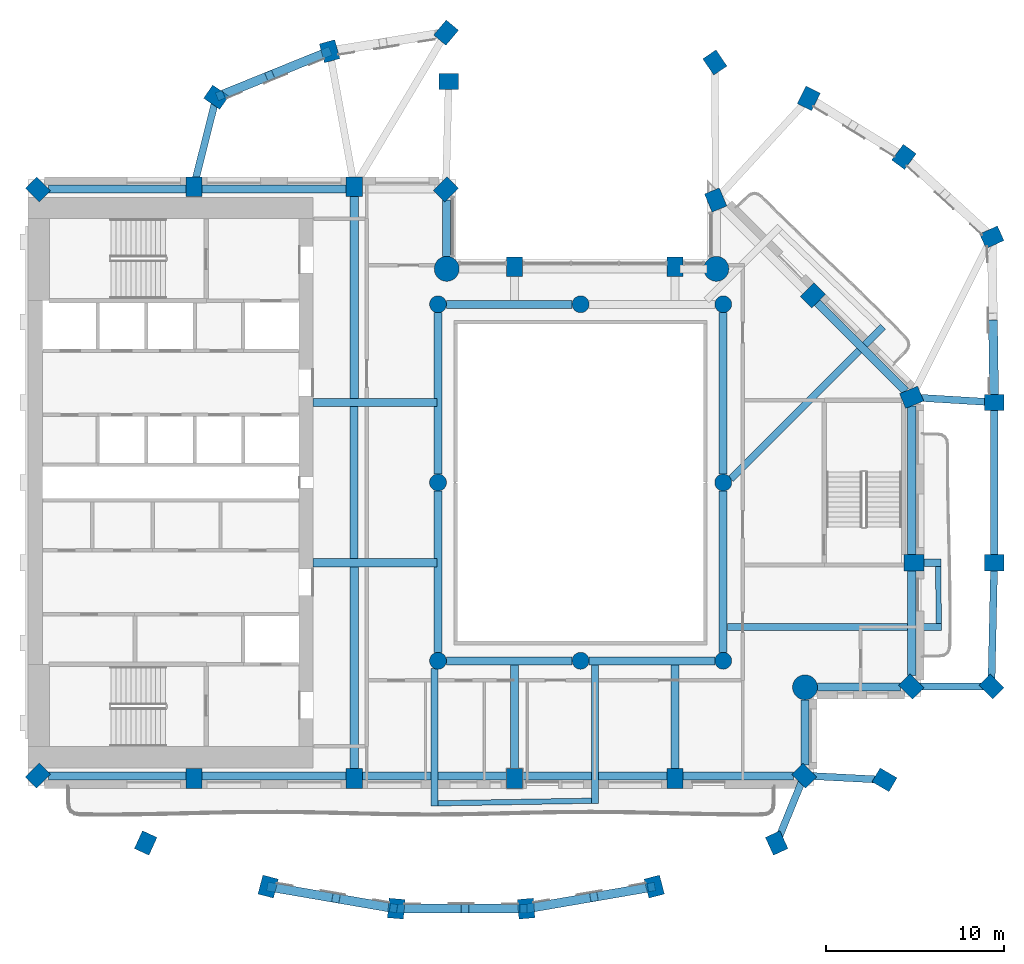
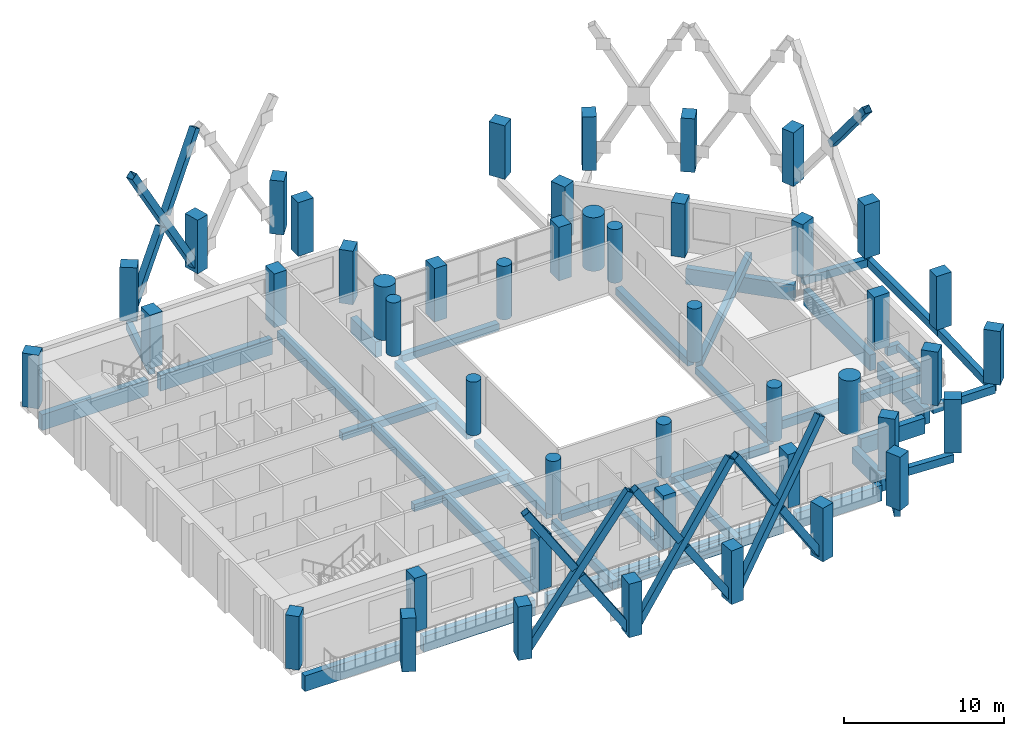
# One storey, part 1 of 15: 46 columns, 41 beams, 13 members.
"""IFC4 building model written with IfcOpenShell, lengths in metres."""

from ifc_helpers import new_model, si_unit, direction, frame, origin, origin_2d, place, context, subcontext, project, spatial, rectangle, hollow_rectangle, circle, extrude, material, material_profile, profile_set, type_object, element, save


model = new_model("IFC4")

# Units and contexts
model_context = context("Model", 3, precision=1e-05, world=origin(), true_north=direction((0.0, 1.0)))
body_context = subcontext(model_context, "Body", "Model", "MODEL_VIEW")
ifc_project = project(units=[si_unit("LENGTHUNIT", "METRE"), si_unit("AREAUNIT", "SQUARE_METRE"), si_unit("VOLUMEUNIT", "CUBIC_METRE"), si_unit("PLANEANGLEUNIT", "RADIAN"), si_unit("MASSUNIT", "GRAM", prefix="KILO")], contexts=[model_context])

# Site, building, storey
site_placement = place(None, origin())
site = spatial("IfcSite", under=ifc_project, at=site_placement, CompositionType="ELEMENT")
building_placement = place(site_placement, origin())
building = spatial("IfcBuilding", under=site, at=building_placement, Name="Cypress Arch Tower", CompositionType="ELEMENT")
storey_placement = place(building_placement, frame((0.0, 0.0, 193.300048828125)))
storey = spatial("IfcBuildingStorey", under=building, at=storey_placement, Name="L42", CompositionType="ELEMENT", Elevation=193.300048828125)

# Columns
ifc_material_1 = material(Name="Concrete C70/85", Category="concrete")
ifc_material_profile_1 = material_profile(ifc_material_1, rectangle(XDim=0.89990234375, YDim=1.10009765625, at=origin_2d()), Name="RC 900x1100")
ifc_profile_set_1 = profile_set([ifc_material_profile_1], Name="Concrete C70/85")
column_type_1 = type_object("IfcColumnType", Name="Column RC 900x1100 Concrete C70/85", PredefinedType="COLUMN", material=ifc_profile_set_1)
for number, where, z_axis, x_axis, name in (
    (1, (-29.44287109375, 16.44287109375, 0.0), (0.0, 0.0, 1.0), (-0.707106781187, -0.707106781187, 0.0), "Column L42 CB00"),
    (2, (-29.44287109375, -16.44287109375, 0.0), (0.0, 0.0, 1.0), (0.707106781187, -0.707106781187, 0.0), "Column L42 CB01"),
    (3, (-20.699951171875, -16.60009765625, 0.0), (0.0, 0.0, 1.0), (1.0, 0.0, 0.0), "Column L42 CB02"),
    (4, (-11.699951171875, -16.60009765625, 0.0), (0.0, 0.0, 1.0), (1.0, 0.0, 0.0), "Column L42 CB03"),
    (5, (-2.699951171875, -16.60009765625, 0.0), (0.0, 0.0, 1.0), (1.0, 0.0, 0.0), "Column L42 CB04"),
    (6, (6.300048828125, -16.60009765625, 0.0), (0.0, 0.0, 1.0), (1.0, 0.0, 0.0), "Column L42 CB05"),
    (7, (13.54296875, -16.44287109375, 0.0), (0.0, 0.0, 1.0), (0.707106781187, 0.707106781187, 0.0), "Column L42 CB06"),
    (8, (19.54296875, -11.44287109375, 0.0), (0.0, 0.0, 1.0), (0.707106781187, 0.707106781187, 0.0), "Column L42 CB08"),
    (9, (19.699951171875, -4.5, 0.0), (0.0, 0.0, 1.0), (0.0, 1.0, 0.0), "Column L42 CB09"),
    (10, (19.569580078125, 4.7802734375, 0.0), (0.0, 0.0, 1.0), (-0.382683496864, 0.923879505795, 0.0), "Column L42 CB10"),
    (11, (14.029296875, 10.505126953125, 0.0), (0.0, 0.0, 1.0), (-0.707106781187, 0.707106781187, 0.0), "Column L42 CB11"),
    (12, (8.576171875, 15.850341796875, 0.0), (0.0, 0.0, 1.0), (-0.923879672772, -0.382683093746, 0.0), "Column L42 CB12"),
    (13, (6.300048828125, 12.10009765625, 0.0), (0.0, 0.0, 1.0), (-1.0, 0.0, 0.0), "Column L42 CB14"),
    (14, (-2.699951171875, 12.10009765625, 0.0), (0.0, 0.0, 1.0), (-1.0, 0.0, 0.0), "Column L42 CB15"),
    (15, (-6.55712890625, 16.44287109375, 0.0), (0.0, 0.0, 1.0), (-0.707106781187, 0.707106781187, 0.0), "Column L42 CB17"),
    (16, (-11.699951171875, 16.60009765625, 0.0), (0.0, 0.0, 1.0), (-1.0, 0.0, 0.0), "Column L42 CB18"),
    (17, (-20.699951171875, 16.60009765625, 0.0), (0.0, 0.0, 1.0), (-1.0, 0.0, 0.0), "Column L42 CB19"),
    (18, (8.53076171875, 23.564697265625, 0.0), (0.0, 0.0, 1.0), (-0.828469606019, -0.560034027451, 0.0), "Column L42 CQ00"),
    (19, (-6.39990234375, 22.5, 0.0), (0.0, 0.0, 1.0), (0.0, 1.0, 0.0), "Column L42 CQ01"),
    (20, (-6.54833984375, 25.236572265625, 0.0), (0.0, 0.0, 1.0), (-0.766063514674, 0.642764880407, 0.0), "Column L42 CQ02"),
    (21, (-13.081298828125, 24.193359375, 0.0), (0.0, 0.0, 1.0), (-0.96345574646, -0.267867550506, 0.0), "Column L42 CQ03"),
    (22, (-19.44189453125, 21.616943359375, 0.0), (0.0, 0.0, 1.0), (-0.565892599589, -0.824478966215, 0.0), "Column L42 CQ04"),
    (23, (-23.398193359375, -20.221435546875, 0.0), (0.0, 0.0, 1.0), (0.909932071487, -0.414757308891, 0.0), "Column L42 CQ05"),
    (24, (-16.529052734375, -22.666259765625, 0.0), (0.0, 0.0, 1.0), (0.96735573689, -0.2534223319, 0.0), "Column L42 CQ06"),
    (25, (-9.3427734375, -23.903564453125, 0.0), (0.0, 0.0, 1.0), (0.996368206733, -0.085149260784, 0.0), "Column L42 CQ07"),
    (26, (-2.057373046875, -23.903564453125, 0.0), (0.0, 0.0, 1.0), (0.996368206733, 0.085149260784, 0.0), "Column L42 CQ08"),
    (27, (5.12890625, -22.666259765625, 0.0), (0.0, 0.0, 1.0), (0.96735573689, 0.2534223319, 0.0), "Column L42 CQ09"),
    (28, (11.998291015625, -20.221435546875, 0.0), (0.0, 0.0, 1.0), (0.909932071487, 0.414757308891, 0.0), "Column L42 CQ10"),
    (29, (18.048095703125, -16.677490234375, 0.0), (0.0, 0.0, 1.0), (0.504399289829, 0.86347053014, 0.0), "Column L42 CQ11"),
    (30, (24.04296875, -11.44287109375, 0.0), (0.0, 0.0, 1.0), (0.707106781187, 0.707106781187, 0.0), "Column L42 CQ12"),
    (31, (24.199951171875, -4.5, 0.0), (0.0, 0.0, 1.0), (0.0, 1.0, 0.0), "Column L42 CQ13"),
    (32, (24.199951171875, 4.5, 0.0), (0.0, 0.0, 1.0), (0.0, 1.0, 0.0), "Column L42 CQ14"),
    (33, (24.06396484375, 13.75927734375, 0.0), (0.0, 0.0, 1.0), (-0.409765058504, 0.912191096662, 0.0), "Column L42 CQ15"),
    (34, (19.13818359375, 18.267578125, 0.0), (0.0, 0.0, 1.0), (-0.802798546114, 0.596250362144, 0.0), "Column L42 CQ16"),
    (35, (13.80322265625, 21.549072265625, 0.0), (0.0, 0.0, 1.0), (-0.893106499805, 0.44984528452, 0.0), "Column L42 CQ17"),
):
    element("IfcColumn", number, at=place(storey_placement, frame(where, z_axis=z_axis, x_axis=x_axis)), inside=storey, type_object=column_type_1, Name=name, PredefinedType="COLUMN", context=body_context, shape_type="SweptSolid", body=[
        extrude(rectangle(XDim=0.89990234375, YDim=1.10009765625, at=origin_2d()), origin(), (0.0, 0.0, 1.0), 4.099853515625),
    ])
ifc_material_2 = material(Name="Concrete C70/85", Category="concrete")
ifc_material_profile_2 = material_profile(ifc_material_2, circle(Radius=0.47509765625, at=origin_2d()), Name="RC D950")
ifc_profile_set_2 = profile_set([ifc_material_profile_2], Name="Concrete C70/85")
column_type_2 = type_object("IfcColumnType", Name="Column RC D950 Concrete C70/85", PredefinedType="COLUMN", material=ifc_profile_set_2)
for number, where, z_axis, x_axis, name in (
    (36, (-7.0, -10.0, 0.0), (0.0, 0.0, 1.0), (1.0, 0.0, 0.0), "Column L42 RNG-L42-G-7-10"),
    (37, (-7.0, 0.0, 0.0), (0.0, 0.0, 1.0), (1.0, 0.0, 0.0), "Column L42 RNG-L42-G-7+0"),
    (38, (-7.0, 10.0, 0.0), (0.0, 0.0, 1.0), (1.0, 0.0, 0.0), "Column L42 RNG-L42-G-7+10"),
    (39, (1.0, -10.0, 0.0), (0.0, 0.0, 1.0), (1.0, 0.0, 0.0), "Column L42 RNG-L42-G+1-10"),
    (40, (1.0, 10.0, 0.0), (0.0, 0.0, 1.0), (1.0, 0.0, 0.0), "Column L42 RNG-L42-G+1+10"),
    (41, (9.0, -10.0, 0.0), (0.0, 0.0, 1.0), (1.0, 0.0, 0.0), "Column L42 RNG-L42-G+9-10"),
    (42, (9.0, 0.0, 0.0), (0.0, 0.0, 1.0), (1.0, 0.0, 0.0), "Column L42 RNG-L42-G+9+0"),
    (43, (9.0, 10.0, 0.0), (0.0, 0.0, 1.0), (1.0, 0.0, 0.0), "Column L42 RNG-L42-G+9+10"),
):
    element("IfcColumn", number, at=place(storey_placement, frame(where, z_axis=z_axis, x_axis=x_axis)), inside=storey, type_object=column_type_2, Name=name, PredefinedType="COLUMN", context=body_context, shape_type="SweptSolid", body=[
        extrude(circle(Radius=0.47509765625, at=origin_2d()), origin(), (0.0, 0.0, 1.0), 4.099853515625),
    ])
ifc_material_3 = material(Name="Concrete C70/85", Category="concrete")
ifc_material_profile_3 = material_profile(ifc_material_3, circle(Radius=0.699951171875, at=origin_2d()), Name="RC D1400")
ifc_profile_set_3 = profile_set([ifc_material_profile_3], Name="Concrete C70/85")
column_type_3 = type_object("IfcColumnType", Name="Mega-column RC D1400 Concrete C70/85", PredefinedType="COLUMN", material=ifc_profile_set_3)
for number, where, z_axis, x_axis, name in (
    (44, (13.587890625, -11.48779296875, 0.0), (0.0, 0.0, 1.0), (1.0, 0.0, 0.0), "Column L42 CB07"),
    (45, (8.612060546875, 11.98779296875, 0.0), (0.0, 0.0, 1.0), (1.0, 0.0, 0.0), "Column L42 CB13"),
    (46, (-6.51220703125, 11.98779296875, 0.0), (0.0, 0.0, 1.0), (1.0, 0.0, 0.0), "Column L42 CB16"),
):
    element("IfcColumn", number, at=place(storey_placement, frame(where, z_axis=z_axis, x_axis=x_axis)), inside=storey, type_object=column_type_3, Name=name, PredefinedType="COLUMN", context=body_context, shape_type="SweptSolid", body=[
        extrude(circle(Radius=0.699951171875, at=origin_2d()), origin(), (0.0, 0.0, 1.0), 4.099853515625),
    ])

# Beams
ifc_material_4 = material(Name="Concrete C50/60", Category="concrete")
ifc_material_profile_4 = material_profile(ifc_material_4, rectangle(XDim=0.300048828125, YDim=0.39990234375, at=origin_2d()), Name="RC 300x400")
ifc_profile_set_4 = profile_set([ifc_material_profile_4], Name="Concrete C50/60")
beam_type_1 = type_object("IfcBeamType", Name="Balcony edge beam RC 300x400 Concrete C50/60", PredefinedType="BEAM", material=ifc_profile_set_4)
beam_1_placement = place(storey_placement, frame((21.091796875, -7.89990234375, -0.5), z_axis=(-0.010680706062, 0.999942959632, 0.0), x_axis=(-0.999942959632, -0.010680706062, 0.0)))
element("IfcBeam", 47, at=beam_1_placement, inside=storey, type_object=beam_type_1, Name="Balcony edge beam L42 B04", PredefinedType="BEAM", context=body_context, shape_type="SweptSolid", body=[
    extrude(rectangle(XDim=0.300048828125, YDim=0.39990234375, at=origin_2d()), origin(), (0.0, 0.0, 1.0), 3.2001953125),
])
ifc_material_5 = material(Name="Concrete C50/60", Category="concrete")
ifc_material_profile_5 = material_profile(ifc_material_5, rectangle(XDim=0.300048828125, YDim=0.449951171875, at=origin_2d()), Name="RC 300x450")
ifc_profile_set_5 = profile_set([ifc_material_profile_5], Name="Concrete C50/60")
beam_type_2 = type_object("IfcBeamType", Name="Balcony edge beam RC 300x450 Concrete C50/60", PredefinedType="BEAM", material=ifc_profile_set_5)
beam_2_placement = place(storey_placement, frame((-7.0, -17.994140625, -0.525146484375), z_axis=(0.999862602281, 0.016576385617, 0.0), x_axis=(-0.016576385617, 0.999862602281, 0.0)))
element("IfcBeam", 48, at=beam_2_placement, inside=storey, type_object=beam_type_2, Name="Balcony edge beam L42 B01", PredefinedType="BEAM", context=body_context, shape_type="SweptSolid", body=[
    extrude(rectangle(XDim=0.300048828125, YDim=0.449951171875, at=origin_2d()), origin(), (0.0, 0.0, 1.0), 8.601318359375),
])
ifc_material_6 = material(Name="Concrete C50/60", Category="concrete")
ifc_material_profile_6 = material_profile(ifc_material_6, rectangle(XDim=0.39990234375, YDim=0.64990234375, at=origin_2d()), Name="RC 400x650")
ifc_profile_set_6 = profile_set([ifc_material_profile_6], Name="Concrete C50/60")
beam_type_3 = type_object("IfcBeamType", Name="Cantilever beam RC 400x650 Concrete C50/60", PredefinedType="BEAM", material=ifc_profile_set_6)
beam_3_placement = place(storey_placement, frame((-7.199951171875, -10.4306640625, -0.625), z_axis=(0.0, -1.0, 0.0), x_axis=(1.0, 0.0, 0.0)))
element("IfcBeam", 49, at=beam_3_placement, inside=storey, type_object=beam_type_3, Name="Cantilever beam L42 B01 1", PredefinedType="BEAM", context=body_context, shape_type="SweptSolid", body=[
    extrude(rectangle(XDim=0.39990234375, YDim=0.64990234375, at=origin_2d()), origin(), (0.0, 0.0, 1.0), 7.71337890625),
])
beam_4_placement = place(storey_placement, frame((1.800048828125, -10.22509765625, -0.625), z_axis=(0.0, -1.0, 0.0), x_axis=(1.0, 0.0, 0.0)))
element("IfcBeam", 50, at=beam_4_placement, inside=storey, type_object=beam_type_3, Name="Cantilever beam L42 B01 2", PredefinedType="BEAM", context=body_context, shape_type="SweptSolid", body=[
    extrude(rectangle(XDim=0.39990234375, YDim=0.64990234375, at=origin_2d()), origin(), (0.0, 0.0, 1.0), 7.7763671875),
])
beam_5_placement = place(storey_placement, frame((9.22509765625, -8.10009765625, -0.625), z_axis=(1.0, 0.0, 0.0), x_axis=(0.0, 1.0, 0.0)))
element("IfcBeam", 51, at=beam_5_placement, inside=storey, type_object=beam_type_3, Name="Cantilever beam L42 B04 1", PredefinedType="BEAM", context=body_context, shape_type="SweptSolid", body=[
    extrude(rectangle(XDim=0.39990234375, YDim=0.64990234375, at=origin_2d()), origin(), (0.0, 0.0, 1.0), 12.0166015625),
])
beam_6_placement = place(storey_placement, frame((20.25, -4.5, -0.625), z_axis=(1.0, 0.0, 0.0), x_axis=(0.0, 1.0, 0.0)))
element("IfcBeam", 52, at=beam_6_placement, inside=storey, type_object=beam_type_3, Name="Cantilever beam L42 B04 2", PredefinedType="BEAM", context=body_context, shape_type="SweptSolid", body=[
    extrude(rectangle(XDim=0.39990234375, YDim=0.64990234375, at=origin_2d()), origin(), (0.0, 0.0, 1.0), 0.95751953125),
])
beam_7_placement = place(storey_placement, frame((9.4287109375, 0.204345703125, -0.625), z_axis=(0.707096675113, 0.707116887115, 0.0), x_axis=(-0.707116887115, 0.707096675113, 0.0)))
element("IfcBeam", 53, at=beam_7_placement, inside=storey, type_object=beam_type_3, Name="Cantilever beam L42 B05 1", PredefinedType="BEAM", context=body_context, shape_type="SweptSolid", body=[
    extrude(rectangle(XDim=0.39990234375, YDim=0.64990234375, at=origin_2d()), origin(), (0.0, 0.0, 1.0), 12.0791015625),
])

# Members
ifc_material_7 = material(Name="Steel ASTM A500 Grade C", Category="steel")
ifc_material_profile_7 = material_profile(ifc_material_7, hollow_rectangle(XDim=0.508056640625, YDim=0.508056640625, WallThickness=0.017578125, at=origin_2d()), Name="HSS 20x20x3/4")
ifc_profile_set_7 = profile_set([ifc_material_profile_7], Name="Steel ASTM A500 Grade C")
member_type = type_object("IfcMemberType", Name="Exoskeleton brace HSS 20x20x3/4 Steel ASTM A500 Grade C", PredefinedType="BRACE", material=ifc_profile_set_7)
member_1_placement = place(storey_placement, frame((-13.226806640625, 24.13427734375, 0.253662109375), z_axis=(-0.487398996973, -0.197419142906, 0.850569162246), x_axis=(0.375419205313, -0.926855123675, 0.0)))
element("IfcMember", 54, at=member_1_placement, inside=storey, type_object=member_type, Name="Exoskeleton brace L42 CQ03-CQ04a", PredefinedType="BRACE", context=body_context, shape_type="SweptSolid", body=[
    extrude(hollow_rectangle(XDim=0.508056640625, YDim=0.508056640625, WallThickness=0.017578125, at=origin_2d()), origin(), (0.0, 0.0, 1.0), 12.288818359375),
])
member_2_placement = place(storey_placement, frame((-13.226806640625, 24.13427734375, 10.84619140625), z_axis=(-0.4826891813, -0.195486816119, -0.853695530608), x_axis=(0.375378569734, -0.926871581927, 0.0)))
element("IfcMember", 55, at=member_2_placement, inside=storey, type_object=member_type, Name="Exoskeleton brace L42 CQ03-CQ04b1", PredefinedType="BRACE", context=body_context, shape_type="SweptSolid", body=[
    extrude(hollow_rectangle(XDim=0.508056640625, YDim=0.508056640625, WallThickness=0.017578125, at=origin_2d()), origin(), (0.0, 0.0, 1.0), 5.832275390625),
])
member_3_placement = place(storey_placement, frame((-19.21630859375, 21.708251953125, 0.393798828125), z_axis=(0.492178617926, 0.199375004692, 0.847354598477), x_axis=(-0.375451388539, 0.926842087329, 0.0)))
element("IfcMember", 56, at=member_3_placement, inside=storey, type_object=member_type, Name="Exoskeleton brace L42 CQ03-CQ04b2", PredefinedType="BRACE", context=body_context, shape_type="SweptSolid", body=[
    extrude(hollow_rectangle(XDim=0.508056640625, YDim=0.508056640625, WallThickness=0.017578125, at=origin_2d()), origin(), (0.0, 0.0, 1.0), 5.636474609375),
])
member_4_placement = place(storey_placement, frame((-16.371826171875, -22.693115234375, 0.242431640625), z_axis=(0.54108397622, -0.093192238053, 0.835789050805), x_axis=(0.169733395085, 0.9854900175, 0.0)))
element("IfcMember", 57, at=member_4_placement, inside=storey, type_object=member_type, Name="Exoskeleton brace L42 CQ06-CQ07a", PredefinedType="BRACE", context=body_context, shape_type="SweptSolid", body=[
    extrude(hollow_rectangle(XDim=0.508056640625, YDim=0.508056640625, WallThickness=0.017578125, at=origin_2d()), origin(), (0.0, 0.0, 1.0), 12.700439453125),
])
for number, where, z_axis, x_axis, name in (
    (58, (-16.371826171875, -22.693115234375, 10.857421875), (0.541069642562, -0.093207412325, -0.835796638056), (0.169764603538, 0.985484641882, 0.0), "Exoskeleton brace L42 CQ06-CQ07b1"),
    (59, (-9.499755859375, -23.876708984375, 0.242431640625), (-0.541069642562, 0.093207412325, 0.835796638056), (-0.169764603538, -0.985484641882, 0.0), "Exoskeleton brace L42 CQ06-CQ07b2"),
):
    element("IfcMember", number, at=place(storey_placement, frame(where, z_axis=z_axis, x_axis=x_axis)), inside=storey, type_object=member_type, Name=name, PredefinedType="BRACE", context=body_context, shape_type="SweptSolid", body=[
        extrude(hollow_rectangle(XDim=0.508056640625, YDim=0.508056640625, WallThickness=0.017578125, at=origin_2d()), origin(), (0.0, 0.0, 1.0), 5.964111328125),
    ])
member_5_placement = place(storey_placement, frame((-9.183349609375, -23.903564453125, 0.24267578125), z_axis=(0.548713142226, 0.0, 0.836010698226), x_axis=(0.0, 1.0, 0.0)))
element("IfcMember", 60, at=member_5_placement, inside=storey, type_object=member_type, Name="Exoskeleton brace L42 CQ07-CQ08a", PredefinedType="BRACE", context=body_context, shape_type="SweptSolid", body=[
    extrude(hollow_rectangle(XDim=0.508056640625, YDim=0.508056640625, WallThickness=0.017578125, at=origin_2d()), origin(), (0.0, 0.0, 1.0), 12.696533203125),
])
member_6_placement = place(storey_placement, frame((-9.183349609375, -23.903564453125, 10.857177734375), z_axis=(0.548703848846, 0.0, -0.836016797835), x_axis=(0.0, 1.0, 0.0)))
element("IfcMember", 61, at=member_6_placement, inside=storey, type_object=member_type, Name="Exoskeleton brace L42 CQ07-CQ08b1", PredefinedType="BRACE", context=body_context, shape_type="SweptSolid", body=[
    extrude(hollow_rectangle(XDim=0.508056640625, YDim=0.508056640625, WallThickness=0.017578125, at=origin_2d()), origin(), (0.0, 0.0, 1.0), 5.961669921875),
])
member_7_placement = place(storey_placement, frame((-2.216552734375, -23.903564453125, 0.24267578125), z_axis=(-0.548732469594, 0.0, 0.835998012446), x_axis=(0.0, -1.0, 0.0)))
element("IfcMember", 62, at=member_7_placement, inside=storey, type_object=member_type, Name="Exoskeleton brace L42 CQ07-CQ08b2", PredefinedType="BRACE", context=body_context, shape_type="SweptSolid", body=[
    extrude(hollow_rectangle(XDim=0.508056640625, YDim=0.508056640625, WallThickness=0.017578125, at=origin_2d()), origin(), (0.0, 0.0, 1.0), 5.9619140625),
])
member_8_placement = place(storey_placement, frame((-1.900146484375, -23.876708984375, 0.242431640625), z_axis=(0.54108397622, 0.093192238053, 0.835789050805), x_axis=(-0.169733395085, 0.9854900175, 0.0)))
element("IfcMember", 63, at=member_8_placement, inside=storey, type_object=member_type, Name="Exoskeleton brace L42 CQ08-CQ09a", PredefinedType="BRACE", context=body_context, shape_type="SweptSolid", body=[
    extrude(hollow_rectangle(XDim=0.508056640625, YDim=0.508056640625, WallThickness=0.017578125, at=origin_2d()), origin(), (0.0, 0.0, 1.0), 12.700439453125),
])
for number, where, z_axis, x_axis, name in (
    (64, (-1.900146484375, -23.876708984375, 10.857421875), (0.541069642562, 0.093207412325, -0.835796638056), (-0.169764603538, 0.985484641882, 0.0), "Exoskeleton brace L42 CQ08-CQ09b1"),
    (65, (4.971923828125, -22.693115234375, 0.242431640625), (-0.541069642562, -0.093207412325, 0.835796638056), (0.169764603538, -0.985484641882, 0.0), "Exoskeleton brace L42 CQ08-CQ09b2"),
):
    element("IfcMember", number, at=place(storey_placement, frame(where, z_axis=z_axis, x_axis=x_axis)), inside=storey, type_object=member_type, Name=name, PredefinedType="BRACE", context=body_context, shape_type="SweptSolid", body=[
        extrude(hollow_rectangle(XDim=0.508056640625, YDim=0.508056640625, WallThickness=0.017578125, at=origin_2d()), origin(), (0.0, 0.0, 1.0), 5.964111328125),
    ])
member_9_placement = place(storey_placement, frame((24.197509765625, 4.675048828125, 10.89013671875), z_axis=(-0.009394565825, 0.638830476121, -0.769290169515), x_axis=(-0.999891886048, -0.014704292442, 0.0)))
element("IfcMember", 66, at=member_9_placement, inside=storey, type_object=member_type, Name="Exoskeleton brace L42 CQ14-CQ15b1", PredefinedType="BRACE", context=body_context, shape_type="SweptSolid", body=[
    extrude(hollow_rectangle(XDim=0.508056640625, YDim=0.508056640625, WallThickness=0.017578125, at=origin_2d()), origin(), (0.0, 0.0, 1.0), 6.65283203125),
])

# Beams
ifc_material_8 = material(Name="Concrete C50/60", Category="concrete")
ifc_material_profile_8 = material_profile(ifc_material_8, rectangle(XDim=0.449951171875, YDim=0.550048828125, at=origin_2d()), Name="RC 450x550")
ifc_profile_set_8 = profile_set([ifc_material_profile_8], Name="Concrete C50/60")
beam_type_4 = type_object("IfcBeamType", Name="Floor beam RC 450x550 Concrete C50/60", PredefinedType="BEAM", material=ifc_profile_set_8)
for number, where, z_axis, x_axis, name in (
    (67, (-7.0, -9.52490234375, -0.574951171875), (0.0, 1.0, 0.0), (-1.0, 0.0, 0.0), "Floor beam L42 RB001"),
    (68, (-7.0, 0.47509765625, -0.574951171875), (0.0, 1.0, 0.0), (-1.0, 0.0, 0.0), "Floor beam L42 RB002"),
    (69, (9.0, -9.52490234375, -0.574951171875), (0.0, 1.0, 0.0), (-1.0, 0.0, 0.0), "Floor beam L42 RB003"),
    (70, (9.0, 0.47509765625, -0.574951171875), (0.0, 1.0, 0.0), (-1.0, 0.0, 0.0), "Floor beam L42 RB004"),
):
    element("IfcBeam", number, at=place(storey_placement, frame(where, z_axis=z_axis, x_axis=x_axis)), inside=storey, type_object=beam_type_4, Name=name, PredefinedType="BEAM", context=body_context, shape_type="SweptSolid", body=[
        extrude(rectangle(XDim=0.449951171875, YDim=0.550048828125, at=origin_2d()), origin(), (0.0, 0.0, 1.0), 9.0498046875),
    ])
for number, where, z_axis, x_axis, name in (
    (71, (-6.52490234375, -10.0, -0.574951171875), (1.0, 0.0, 0.0), (0.0, 1.0, 0.0), "Floor beam L42 RB005"),
    (72, (1.47509765625, -10.0, -0.574951171875), (1.0, 0.0, 0.0), (0.0, 1.0, 0.0), "Floor beam L42 RB006"),
    (73, (-6.52490234375, 10.0, -0.574951171875), (1.0, 0.0, 0.0), (0.0, 1.0, 0.0), "Floor beam L42 RB007"),
):
    element("IfcBeam", number, at=place(storey_placement, frame(where, z_axis=z_axis, x_axis=x_axis)), inside=storey, type_object=beam_type_4, Name=name, PredefinedType="BEAM", context=body_context, shape_type="SweptSolid", body=[
        extrude(rectangle(XDim=0.449951171875, YDim=0.550048828125, at=origin_2d()), origin(), (0.0, 0.0, 1.0), 7.0498046875),
    ])
for number, where, z_axis, x_axis, name in (
    (74, (-14.0, -4.5, -0.574951171875), (1.0, 0.0, 0.0), (0.0, 1.0, 0.0), "Floor beam L42 FB009"),
    (75, (-14.0, 4.5, -0.574951171875), (1.0, 0.0, 0.0), (0.0, 1.0, 0.0), "Floor beam L42 FB010"),
):
    element("IfcBeam", number, at=place(storey_placement, frame(where, z_axis=z_axis, x_axis=x_axis)), inside=storey, type_object=beam_type_4, Name=name, PredefinedType="BEAM", context=body_context, shape_type="SweptSolid", body=[
        extrude(rectangle(XDim=0.449951171875, YDim=0.550048828125, at=origin_2d()), origin(), (0.0, 0.0, 1.0), 6.949951171875),
    ])
beam_8_placement = place(storey_placement, frame((-11.699951171875, -4.27490234375, -0.574951171875), z_axis=(0.0, 1.0, 0.0), x_axis=(-1.0, 0.0, 0.0)))
element("IfcBeam", 76, at=beam_8_placement, inside=storey, type_object=beam_type_4, Name="Floor beam L42 FB012", PredefinedType="BEAM", context=body_context, shape_type="SweptSolid", body=[
    extrude(rectangle(XDim=0.449951171875, YDim=0.550048828125, at=origin_2d()), origin(), (0.0, 0.0, 1.0), 8.5498046875),
])
for number, where, z_axis, x_axis, name in (
    (77, (-2.699951171875, -16.050048828125, -0.574951171875), (0.0, 1.0, 0.0), (-1.0, 0.0, 0.0), "Floor beam L42 FB014"),
    (78, (6.300048828125, -16.050048828125, -0.574951171875), (0.0, 1.0, 0.0), (-1.0, 0.0, 0.0), "Floor beam L42 FB016"),
):
    element("IfcBeam", number, at=place(storey_placement, frame(where, z_axis=z_axis, x_axis=x_axis)), inside=storey, type_object=beam_type_4, Name=name, PredefinedType="BEAM", context=body_context, shape_type="SweptSolid", body=[
        extrude(rectangle(XDim=0.449951171875, YDim=0.550048828125, at=origin_2d()), origin(), (0.0, 0.0, 1.0), 5.824951171875),
    ])
ifc_material_9 = material(Name="Concrete C50/60", Category="concrete")
ifc_material_profile_9 = material_profile(ifc_material_9, rectangle(XDim=0.5, YDim=0.64990234375, at=origin_2d()), Name="RC 500x650")
ifc_profile_set_9 = profile_set([ifc_material_profile_9], Name="Concrete C50/60")
beam_type_5 = type_object("IfcBeamType", Name="Floor beam RC 500x650 Concrete C50/60", PredefinedType="BEAM", material=ifc_profile_set_9)
for number, where, z_axis, x_axis, name in (
    (79, (-11.699951171875, -16.050048828125, -0.625), (0.0, 1.0, 0.0), (-1.0, 0.0, 0.0), "Floor beam L42 FB011"),
    (80, (-11.699951171875, 4.72509765625, -0.625), (0.0, 1.0, 0.0), (-1.0, 0.0, 0.0), "Floor beam L42 FB013"),
):
    element("IfcBeam", number, at=place(storey_placement, frame(where, z_axis=z_axis, x_axis=x_axis)), inside=storey, type_object=beam_type_5, Name=name, PredefinedType="BEAM", context=body_context, shape_type="SweptSolid", body=[
        extrude(rectangle(XDim=0.5, YDim=0.64990234375, at=origin_2d()), origin(), (0.0, 0.0, 1.0), 11.324951171875),
    ])
ifc_material_10 = material(Name="Concrete C50/60", Category="concrete")
ifc_material_profile_10 = material_profile(ifc_material_10, rectangle(XDim=0.39990234375, YDim=0.60009765625, at=origin_2d()), Name="RC 400x600")
ifc_profile_set_10 = profile_set([ifc_material_profile_10], Name="Concrete C50/60")
beam_type_6 = type_object("IfcBeamType", Name="Pilotis tie beam RC 400x600 Concrete C50/60", PredefinedType="BEAM", material=ifc_profile_set_10)
beam_9_placement = place(storey_placement, frame((-19.44189453125, 21.616943359375, -0.60009765625), z_axis=(-0.243235271871, -0.969967320335, 0.0), x_axis=(0.969967320335, -0.243235271871, 0.0)))
element("IfcBeam", 81, at=beam_9_placement, inside=storey, type_object=beam_type_6, Name="Pilotis tie beam L42 CQ04-CB19", PredefinedType="BEAM", context=body_context, shape_type="SweptSolid", body=[
    extrude(rectangle(XDim=0.39990234375, YDim=0.60009765625, at=origin_2d()), origin(), (0.0, 0.0, 1.0), 5.172119140625),
])
beam_10_placement = place(storey_placement, frame((11.998291015625, -20.221435546875, -0.60009765625), z_axis=(0.378402283859, 0.925641243447, 0.0), x_axis=(-0.925641243447, 0.378402283859, 0.0)))
element("IfcBeam", 82, at=beam_10_placement, inside=storey, type_object=beam_type_6, Name="Pilotis tie beam L42 CQ10-CB06", PredefinedType="BEAM", context=body_context, shape_type="SweptSolid", body=[
    extrude(rectangle(XDim=0.39990234375, YDim=0.60009765625, at=origin_2d()), origin(), (0.0, 0.0, 1.0), 4.08203125),
])
beam_11_placement = place(storey_placement, frame((18.048095703125, -16.677490234375, -0.60009765625), z_axis=(-0.998646679968, 0.052007774316, 0.0), x_axis=(-0.052007774316, -0.998646679968, 0.0)))
element("IfcBeam", 83, at=beam_11_placement, inside=storey, type_object=beam_type_6, Name="Pilotis tie beam L42 CQ11-CB06", PredefinedType="BEAM", context=body_context, shape_type="SweptSolid", body=[
    extrude(rectangle(XDim=0.39990234375, YDim=0.60009765625, at=origin_2d()), origin(), (0.0, 0.0, 1.0), 4.51123046875),
])
beam_12_placement = place(storey_placement, frame((24.04296875, -11.44287109375, -0.60009765625), z_axis=(0.022604813971, 0.999744478547, 0.0), x_axis=(-0.999744478547, 0.022604813971, 0.0)))
element("IfcBeam", 84, at=beam_12_placement, inside=storey, type_object=beam_type_6, Name="Pilotis tie beam L42 CQ12-CQ13", PredefinedType="BEAM", context=body_context, shape_type="SweptSolid", body=[
    extrude(rectangle(XDim=0.39990234375, YDim=0.60009765625, at=origin_2d()), origin(), (0.0, 0.0, 1.0), 6.944580078125),
])
beam_13_placement = place(storey_placement, frame((24.04296875, -11.44287109375, -0.60009765625), z_axis=(-1.0, 0.0, 0.0), x_axis=(0.0, -1.0, 0.0)))
element("IfcBeam", 85, at=beam_13_placement, inside=storey, type_object=beam_type_6, Name="Pilotis tie beam L42 CQ12-CB08", PredefinedType="BEAM", context=body_context, shape_type="SweptSolid", body=[
    extrude(rectangle(XDim=0.39990234375, YDim=0.60009765625, at=origin_2d()), origin(), (0.0, 0.0, 1.0), 4.5),
])
beam_14_placement = place(storey_placement, frame((24.199951171875, 4.5, -0.60009765625), z_axis=(0.0, -1.0, 0.0), x_axis=(1.0, 0.0, 0.0)))
element("IfcBeam", 86, at=beam_14_placement, inside=storey, type_object=beam_type_6, Name="Pilotis tie beam L42 CQ14-CQ13", PredefinedType="BEAM", context=body_context, shape_type="SweptSolid", body=[
    extrude(rectangle(XDim=0.39990234375, YDim=0.60009765625, at=origin_2d()), origin(), (0.0, 0.0, 1.0), 9.0),
])
beam_15_placement = place(storey_placement, frame((24.199951171875, 4.5, -0.60009765625), z_axis=(-0.998173116263, 0.060418788225, 0.0), x_axis=(-0.060418788225, -0.998173116263, 0.0)))
element("IfcBeam", 87, at=beam_15_placement, inside=storey, type_object=beam_type_6, Name="Pilotis tie beam L42 CQ14-CB10", PredefinedType="BEAM", context=body_context, shape_type="SweptSolid", body=[
    extrude(rectangle(XDim=0.39990234375, YDim=0.60009765625, at=origin_2d()), origin(), (0.0, 0.0, 1.0), 4.638916015625),
])
ifc_material_11 = material(Name="Concrete C50/60", Category="concrete")
ifc_material_profile_11 = material_profile(ifc_material_11, rectangle(XDim=0.449951171875, YDim=1.199951171875, at=origin_2d()), Name="RC 450x1200")
ifc_profile_set_11 = profile_set([ifc_material_profile_11], Name="Concrete C50/60")
beam_type_7 = type_object("IfcBeamType", Name="Spandrel beam RC 450x1200 Concrete C50/60", PredefinedType="SPANDREL", material=ifc_profile_set_11)
beam_16_placement = place(storey_placement, frame((-28.838623046875, -16.47509765625, -1.550048828125), z_axis=(1.0, 0.0, 0.0), x_axis=(0.0, 1.0, 0.0)))
element("IfcBeam", 88, at=beam_16_placement, inside=storey, type_object=beam_type_7, Name="Spandrel beam L42 BB01-0", PredefinedType="SPANDREL", context=body_context, shape_type="SweptSolid", body=[
    extrude(rectangle(XDim=0.449951171875, YDim=1.199951171875, at=origin_2d()), origin(), (0.0, 0.0, 1.0), 7.688720703125),
])
for number, where, z_axis, x_axis, name in (
    (89, (-20.25, -16.47509765625, -1.550048828125), (1.0, 0.0, 0.0), (0.0, 1.0, 0.0), "Spandrel beam L42 BB01-1"),
    (90, (-11.25, -16.47509765625, -1.550048828125), (1.0, 0.0, 0.0), (0.0, 1.0, 0.0), "Spandrel beam L42 BB01-2"),
    (91, (-2.25, -16.47509765625, -1.550048828125), (1.0, 0.0, 0.0), (0.0, 1.0, 0.0), "Spandrel beam L42 BB01-3"),
):
    element("IfcBeam", number, at=place(storey_placement, frame(where, z_axis=z_axis, x_axis=x_axis)), inside=storey, type_object=beam_type_7, Name=name, PredefinedType="SPANDREL", context=body_context, shape_type="SweptSolid", body=[
        extrude(rectangle(XDim=0.449951171875, YDim=1.199951171875, at=origin_2d()), origin(), (0.0, 0.0, 1.0), 8.10009765625),
    ])
beam_17_placement = place(storey_placement, frame((6.75, -16.47509765625, -1.550048828125), z_axis=(1.0, 0.0, 0.0), x_axis=(0.0, 1.0, 0.0)))
element("IfcBeam", 92, at=beam_17_placement, inside=storey, type_object=beam_type_7, Name="Spandrel beam L42 BB01-4", PredefinedType="SPANDREL", context=body_context, shape_type="SweptSolid", body=[
    extrude(rectangle(XDim=0.449951171875, YDim=1.199951171875, at=origin_2d()), origin(), (0.0, 0.0, 1.0), 6.188720703125),
])
beam_18_placement = place(storey_placement, frame((13.574951171875, -15.838623046875, -1.550048828125), z_axis=(0.0, 1.0, 0.0), x_axis=(-1.0, 0.0, 0.0)))
element("IfcBeam", 93, at=beam_18_placement, inside=storey, type_object=beam_type_7, Name="Spandrel beam L42 BB02-0", PredefinedType="SPANDREL", context=body_context, shape_type="SweptSolid", body=[
    extrude(rectangle(XDim=0.449951171875, YDim=1.199951171875, at=origin_2d()), origin(), (0.0, 0.0, 1.0), 3.651123046875),
])
beam_19_placement = place(storey_placement, frame((14.28759765625, -11.47509765625, -1.550048828125), z_axis=(1.0, 0.0, 0.0), x_axis=(0.0, 1.0, 0.0)))
element("IfcBeam", 94, at=beam_19_placement, inside=storey, type_object=beam_type_7, Name="Spandrel beam L42 BB03-0", PredefinedType="SPANDREL", context=body_context, shape_type="SweptSolid", body=[
    extrude(rectangle(XDim=0.449951171875, YDim=1.199951171875, at=origin_2d()), origin(), (0.0, 0.0, 1.0), 4.651123046875),
])
beam_20_placement = place(storey_placement, frame((19.574951171875, -10.838623046875, -1.550048828125), z_axis=(0.0, 1.0, 0.0), x_axis=(-1.0, 0.0, 0.0)))
element("IfcBeam", 95, at=beam_20_placement, inside=storey, type_object=beam_type_7, Name="Spandrel beam L42 BB04-0", PredefinedType="SPANDREL", context=body_context, shape_type="SweptSolid", body=[
    extrude(rectangle(XDim=0.449951171875, YDim=1.199951171875, at=origin_2d()), origin(), (0.0, 0.0, 1.0), 5.888671875),
])
beam_21_placement = place(storey_placement, frame((19.574951171875, -4.050048828125, -1.550048828125), z_axis=(0.0, 1.0, 0.0), x_axis=(-1.0, 0.0, 0.0)))
element("IfcBeam", 96, at=beam_21_placement, inside=storey, type_object=beam_type_7, Name="Spandrel beam L42 BB04-1", PredefinedType="SPANDREL", context=body_context, shape_type="SweptSolid", body=[
    extrude(rectangle(XDim=0.449951171875, YDim=1.199951171875, at=origin_2d()), origin(), (0.0, 0.0, 1.0), 8.345458984375),
])
beam_22_placement = place(storey_placement, frame((19.23046875, 5.126953125, -1.550048828125), z_axis=(-0.707106781187, 0.707106781187, 0.0), x_axis=(-0.707106781187, -0.707106781187, 0.0)))
element("IfcBeam", 97, at=beam_22_placement, inside=storey, type_object=beam_type_7, Name="Spandrel beam L42 BB05-0", PredefinedType="SPANDREL", context=body_context, shape_type="SweptSolid", body=[
    extrude(rectangle(XDim=0.449951171875, YDim=1.199951171875, at=origin_2d()), origin(), (0.0, 0.0, 1.0), 7.03076171875),
])
beam_23_placement = place(storey_placement, frame((-6.52490234375, 12.6875, -1.550048828125), z_axis=(0.0, 1.0, 0.0), x_axis=(-1.0, 0.0, 0.0)))
element("IfcBeam", 98, at=beam_23_placement, inside=storey, type_object=beam_type_7, Name="Spandrel beam L42 BB08-0", PredefinedType="SPANDREL", context=body_context, shape_type="SweptSolid", body=[
    extrude(rectangle(XDim=0.449951171875, YDim=1.199951171875, at=origin_2d()), origin(), (0.0, 0.0, 1.0), 3.151123046875),
])
beam_24_placement = place(storey_placement, frame((-12.14990234375, 16.47509765625, -1.550048828125), z_axis=(-1.0, 0.0, 0.0), x_axis=(0.0, -1.0, 0.0)))
element("IfcBeam", 99, at=beam_24_placement, inside=storey, type_object=beam_type_7, Name="Spandrel beam L42 BB09-1", PredefinedType="SPANDREL", context=body_context, shape_type="SweptSolid", body=[
    extrude(rectangle(XDim=0.449951171875, YDim=1.199951171875, at=origin_2d()), origin(), (0.0, 0.0, 1.0), 8.10009765625),
])
beam_25_placement = place(storey_placement, frame((-21.14990234375, 16.47509765625, -1.550048828125), z_axis=(-1.0, 0.0, 0.0), x_axis=(0.0, -1.0, 0.0)))
element("IfcBeam", 100, at=beam_25_placement, inside=storey, type_object=beam_type_7, Name="Spandrel beam L42 BB09-2", PredefinedType="SPANDREL", context=body_context, shape_type="SweptSolid", body=[
    extrude(rectangle(XDim=0.449951171875, YDim=1.199951171875, at=origin_2d()), origin(), (0.0, 0.0, 1.0), 7.688720703125),
])

save(model, "model.ifc")
